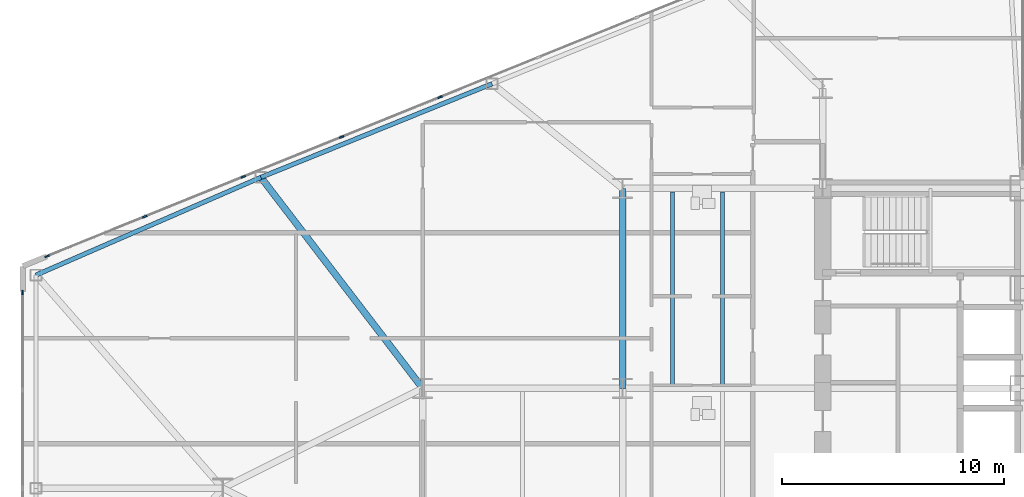
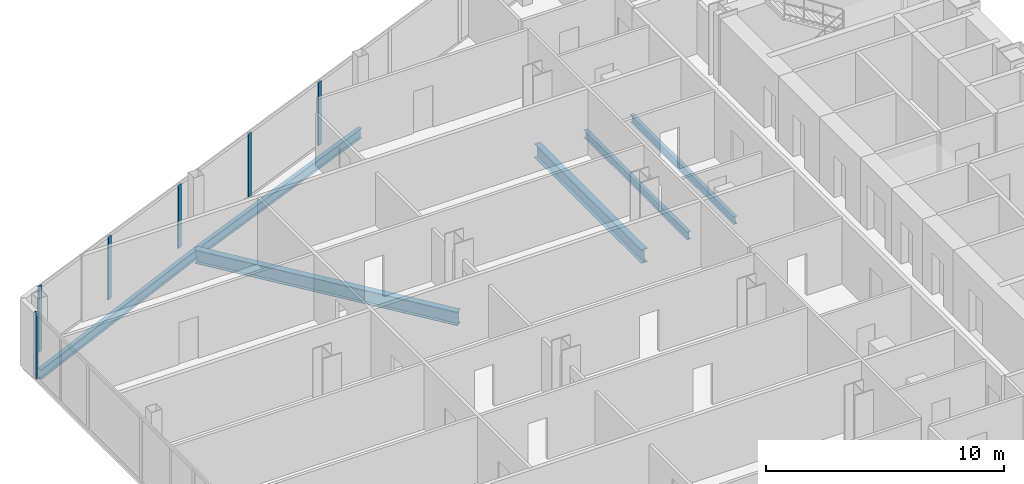
# One storey, part 6 of 25: 6 beams, 6 members, 2 elements without a shape of their own.
"""IFC4 building model written with IfcOpenShell, lengths in metres."""

from ifc_helpers import new_model, si_unit, direction, frame, origin, origin_2d, place, context, subcontext, project, spatial, rectangle, i_section, extrude, source, transform, mapped, material, layer, layer_set, material_profile, profile_set, type_object, type_shapes, element, aggregate, save


model = new_model("IFC4")

# Units and contexts
model_context = context("Model", 3, precision=1e-05, world=origin(), true_north=direction((0.0, 1.0)))
body_context = subcontext(model_context, "Body", "Model", "MODEL_VIEW")
ifc_project = project(units=[si_unit("LENGTHUNIT", "METRE"), si_unit("AREAUNIT", "SQUARE_METRE"), si_unit("VOLUMEUNIT", "CUBIC_METRE"), si_unit("PLANEANGLEUNIT", "RADIAN"), si_unit("MASSUNIT", "GRAM", prefix="KILO")], contexts=[model_context])

# Site, building, storey
site_placement = place(None, origin())
site = spatial("IfcSite", under=ifc_project, at=site_placement, CompositionType="ELEMENT")
building_placement = place(site_placement, origin())
building = spatial("IfcBuilding", under=site, at=building_placement, Name="Seokmaru Belvedere", CompositionType="ELEMENT")
storey_placement = place(building_placement, frame((0.0, 0.0, 26.10009765625)))
storey = spatial("IfcBuildingStorey", under=building, at=storey_placement, Name="L06", CompositionType="ELEMENT", Elevation=26.10009765625)

# Beams
ifc_material_1 = material(Name="Steel SM355 (355 MPa)", Category="steel")
ifc_material_profile_1 = material_profile(ifc_material_1, i_section(OverallWidth=0.300048828125, OverallDepth=0.699951171875, WebThickness=0.012939453125, FlangeThickness=0.02392578125, at=origin_2d()), Name="H-700x300x13x24")
ifc_profile_set_1 = profile_set([ifc_material_profile_1], Name="Steel SM355 (355 MPa)")
beam_type_1 = type_object("IfcBeamType", Name="Primary Floor Girder H-700", PredefinedType="BEAM", material=ifc_profile_set_1)
shared_shape_1 = source(origin(), body_context, "Body", "SweptSolid", [
    extrude(i_section(OverallWidth=0.300048828125, OverallDepth=0.699951171875, WebThickness=0.012939453125, FlangeThickness=0.02392578125, at=origin_2d()), origin(), (0.0, 0.0, 1.0), 9.0),
])
beam_1_placement = place(storey_placement, frame((-45.5, 4.5, -0.570068359375), z_axis=(0.0, 1.0, 0.0), x_axis=(-1.0, 0.0, 0.0)))
element("IfcBeam", 1, at=beam_1_placement, inside=storey, type_object=beam_type_1, Name="L06 W Interior Grid Girder 3", PredefinedType="BEAM", context=body_context, shape_type="MappedRepresentation", body=[
    mapped(shared_shape_1, transform((0.0, 0.0, 0.0), scale=1.0)),
])
ifc_material_profile_2 = material_profile(ifc_material_1, i_section(OverallWidth=0.18505859375, OverallDepth=0.389892578125, WebThickness=0.008056640625, FlangeThickness=0.011962890625, at=origin_2d()), Name="H-390x185x8x12")
ifc_profile_set_2 = profile_set([ifc_material_profile_2], Name="Steel SM355 (355 MPa)")
beam_type_2 = type_object("IfcBeamType", Name="Secondary Floor Joist H-350", PredefinedType="JOIST", material=ifc_profile_set_2)
shared_shape_2 = source(origin(), body_context, "Body", "SweptSolid", [
    extrude(i_section(OverallWidth=0.18505859375, OverallDepth=0.389892578125, WebThickness=0.008056640625, FlangeThickness=0.011962890625, at=origin_2d()), origin(), (0.0, 0.0, 1.0), 8.68994140625),
])
type_shapes(beam_type_2, [shared_shape_2])
for number, where, z_axis, x_axis, name in (
    (2, (-43.25, 4.655029296875, -0.4150390625), (0.0, 1.0, 0.0), (-1.0, 0.0, 0.0), "L06 W Wing Inner Secondary Joist 2"),
    (3, (-41.0, 4.655029296875, -0.4150390625), (0.0, 1.0, 0.0), (-1.0, 0.0, 0.0), "L06 W Secondary Floor Joist 3"),
):
    element("IfcBeam", number, at=place(storey_placement, frame(where, z_axis=z_axis, x_axis=x_axis)), inside=storey, type_object=beam_type_2, Name=name, PredefinedType="JOIST", context=body_context, shape_type="MappedRepresentation", body=[
        mapped(shared_shape_2, transform((0.0, 0.0, 0.0), scale=1.0)),
    ])
ifc_material_profile_3 = material_profile(ifc_material_1, i_section(OverallWidth=0.199951171875, OverallDepth=0.5, WebThickness=0.010009765625, FlangeThickness=0.01611328125, at=origin_2d()), Name="H-500x200x10x16")
ifc_profile_set_3 = profile_set([ifc_material_profile_3], Name="Steel SM355 (355 MPa)")
beam_type_3 = type_object("IfcBeamType", Name="Perimeter Spandrel Beam H-500", PredefinedType="SPANDREL", material=ifc_profile_set_3)
shared_shape_3 = source(origin(), body_context, "Body", "SweptSolid", [
    extrude(i_section(OverallWidth=0.199951171875, OverallDepth=0.5, WebThickness=0.010009765625, FlangeThickness=0.01611328125, at=origin_2d()), origin(), (0.0, 0.0, 1.0), 11.220703125),
])
beam_2_placement = place(storey_placement, frame((-51.378173828125, 18.2041015625, -0.47021484375), z_axis=(-0.926944290816, -0.375198989503, 0.0), x_axis=(0.375198989503, -0.926944290816, 0.0)))
element("IfcBeam", 4, at=beam_2_placement, inside=storey, type_object=beam_type_3, Name="L06 W Faceted Flank Spandrel N-3", PredefinedType="SPANDREL", context=body_context, shape_type="MappedRepresentation", body=[
    mapped(shared_shape_3, transform((0.0, 0.0, 0.0), scale=1.0)),
])
shared_shape_4 = source(origin(), body_context, "Body", "SweptSolid", [
    extrude(i_section(OverallWidth=0.199951171875, OverallDepth=0.5, WebThickness=0.010009765625, FlangeThickness=0.01611328125, at=origin_2d()), origin(), (0.0, 0.0, 1.0), 11.035400390625),
])
type_shapes(beam_type_3, [shared_shape_3, shared_shape_4])
beam_3_placement = place(storey_placement, frame((-61.779052734375, 13.994140625, -0.47021484375), z_axis=(-0.917134058682, -0.398578873507, 0.0), x_axis=(0.398578873507, -0.917134058682, 0.0)))
element("IfcBeam", 5, at=beam_3_placement, inside=storey, type_object=beam_type_3, Name="L06 W Faceted Flank Spandrel N-4", PredefinedType="SPANDREL", context=body_context, shape_type="MappedRepresentation", body=[
    mapped(shared_shape_4, transform((0.0, 0.0, 0.0), scale=1.0)),
])
shared_shape_5 = source(origin(), body_context, "Body", "SweptSolid", [
    extrude(i_section(OverallWidth=0.300048828125, OverallDepth=0.699951171875, WebThickness=0.012939453125, FlangeThickness=0.02392578125, at=origin_2d()), origin(), (0.0, 0.0, 1.0), 11.96337890625),
])
type_shapes(beam_type_1, [shared_shape_1, shared_shape_5])
beam_4_placement = place(storey_placement, frame((-61.779052734375, 13.994140625, -0.570068359375), z_axis=(0.608442682624, -0.793597821294, 0.0), x_axis=(0.793597821294, 0.608442682624, 0.0)))
element("IfcBeam", 6, at=beam_4_placement, inside=storey, type_object=beam_type_1, Name="L06 W Flank Radial Floor Girder N-3", PredefinedType="BEAM", context=body_context, shape_type="MappedRepresentation", body=[
    mapped(shared_shape_5, transform((0.0, 0.0, 0.0), scale=1.0)),
])

# Curtain wall, members
ifc_material_2 = material(Name="Bronze Triple Insulating Glass", Category="glass")
ifc_layer = layer(ifc_material_2, 0.2099609375)
ifc_layer_set = layer_set([ifc_layer], Name="Bronze Triple Insulating Glass")
curtain_wall_type = type_object("IfcCurtainWallType", Name="Low-Rise Faceted Crystal Curtain Wall System CW-2", PredefinedType="NOTDEFINED", material=ifc_layer_set)
curtain_wall_1_placement = place(storey_placement, origin())
curtain_wall_1 = element("IfcCurtainWall", 7, at=curtain_wall_1_placement, inside=storey, type_object=curtain_wall_type, Name="L06 Curtain Wall WF3", PredefinedType="NOTDEFINED")
ifc_material_3 = material(Name="Anodised Bronze Aluminium", Category="aluminium")
ifc_material_profile_4 = material_profile(ifc_material_3, rectangle(XDim=0.074951171875, YDim=0.2099609375, at=origin_2d()), Name="CW-M-75x210")
ifc_profile_set_4 = profile_set([ifc_material_profile_4], Name="Anodised Bronze Aluminium")
member_type = type_object("IfcMemberType", Name="Bronze Unitised Mullion 75x210", PredefinedType="MULLION", material=ifc_profile_set_4)
shared_shape_6 = source(origin(), body_context, "Body", "SweptSolid", [
    extrude(rectangle(XDim=0.074951171875, YDim=0.2099609375, at=origin_2d()), origin(), (0.0, 0.0, 1.0), 3.239990234375),
])
member_1_placement = place(storey_placement, frame((-53.71484375, 17.603515625, 0.06982421875), z_axis=(0.0, 0.0, 1.0), x_axis=(0.375192321888, -0.926946989637, 0.0)))
member_1 = element("IfcMember", 8, at=member_1_placement, type_object=member_type, Name="CW:L06:WF3 Mullion 6", PredefinedType="MULLION", context=body_context, shape_type="MappedRepresentation", body=[
    mapped(shared_shape_6, transform((0.0, 0.0, 0.0), scale=1.0)),
])
member_2_placement = place(storey_placement, frame((-58.144775390625, 15.810546875, 0.06982421875), z_axis=(0.0, 0.0, 1.0), x_axis=(0.375192321888, -0.926946989637, 0.0)))
member_2 = element("IfcMember", 9, at=member_2_placement, type_object=member_type, Name="CW:L06:WF3 Mullion 7", PredefinedType="MULLION", context=body_context, shape_type="MappedRepresentation", body=[
    mapped(shared_shape_6, transform((0.0, 0.0, 0.0), scale=1.0)),
])
member_3_placement = place(storey_placement, frame((-62.574462890625, 14.017578125, 0.06982421875), z_axis=(0.0, 0.0, 1.0), x_axis=(0.375192321888, -0.926946989637, 0.0)))
member_3 = element("IfcMember", 10, at=member_3_placement, type_object=member_type, Name="CW:L06:WF3 Mullion 8", PredefinedType="MULLION", context=body_context, shape_type="MappedRepresentation", body=[
    mapped(shared_shape_6, transform((0.0, 0.0, 0.0), scale=1.0)),
])
member_4_placement = place(storey_placement, frame((-67.004150390625, 12.224609375, 0.06982421875), z_axis=(0.0, 0.0, 1.0), x_axis=(0.375192321888, -0.926946989637, 0.0)))
member_4 = element("IfcMember", 11, at=member_4_placement, type_object=member_type, Name="CW:L06:WF3 Mullion 9", PredefinedType="MULLION", context=body_context, shape_type="MappedRepresentation", body=[
    mapped(shared_shape_6, transform((0.0, 0.0, 0.0), scale=1.0)),
])
shared_shape_7 = source(origin(), body_context, "Body", "SweptSolid", [
    extrude(rectangle(XDim=0.074951171875, YDim=0.2099609375, at=origin_2d()), origin(), (0.0, 0.0, 1.0), 3.3798828125),
])
type_shapes(member_type, [shared_shape_6, shared_shape_7])
member_5_placement = place(storey_placement, frame((-71.399169921875, 10.445556640625, 0.0), z_axis=(0.0, 0.0, 1.0), x_axis=(0.375192321888, -0.926946989637, 0.0)))
member_5 = element("IfcMember", 12, at=member_5_placement, type_object=member_type, Name="CW:L06:WF3 Mullion 10", PredefinedType="MULLION", context=body_context, shape_type="MappedRepresentation", body=[
    mapped(shared_shape_7, transform((0.0, 0.0, 0.0), scale=1.0)),
])
aggregate(curtain_wall_1, [member_1, member_2, member_3, member_4, member_5])

# Curtain wall, member
curtain_wall_2_placement = place(storey_placement, origin())
curtain_wall_2 = element("IfcCurtainWall", 13, at=curtain_wall_2_placement, inside=storey, type_object=curtain_wall_type, Name="L06 Curtain Wall WF4", PredefinedType="NOTDEFINED")
member_6_placement = place(storey_placement, frame((-72.5, 8.8125, 0.0), z_axis=(0.0, 0.0, 1.0), x_axis=(1.0, 0.0, 0.0)))
member_6 = element("IfcMember", 14, at=member_6_placement, type_object=member_type, Name="CW:L06:WF4 Mullion 1", PredefinedType="MULLION", context=body_context, shape_type="MappedRepresentation", body=[
    mapped(shared_shape_7, transform((0.0, 0.0, 0.0), scale=1.0)),
])
aggregate(curtain_wall_2, [member_6])

save(model, "model.ifc")
